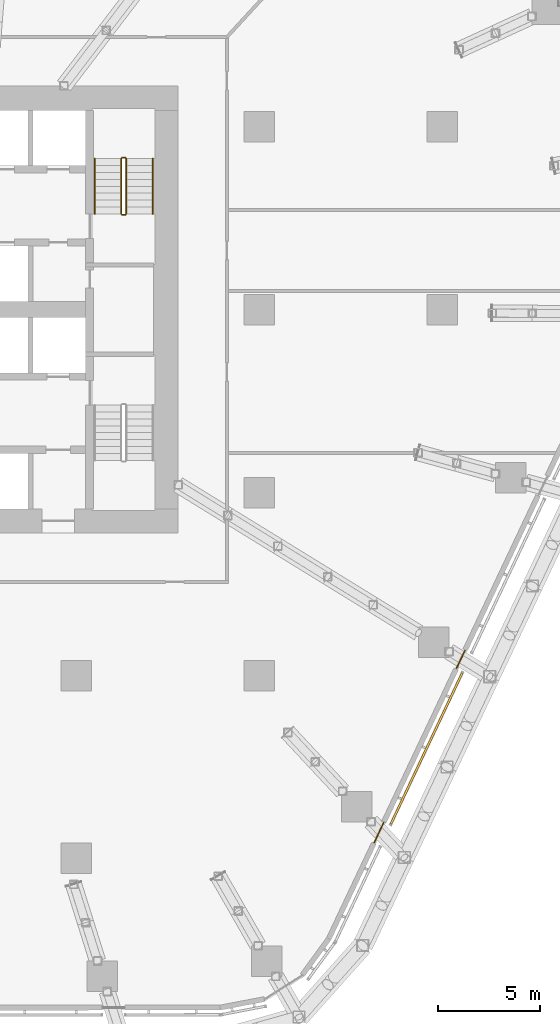
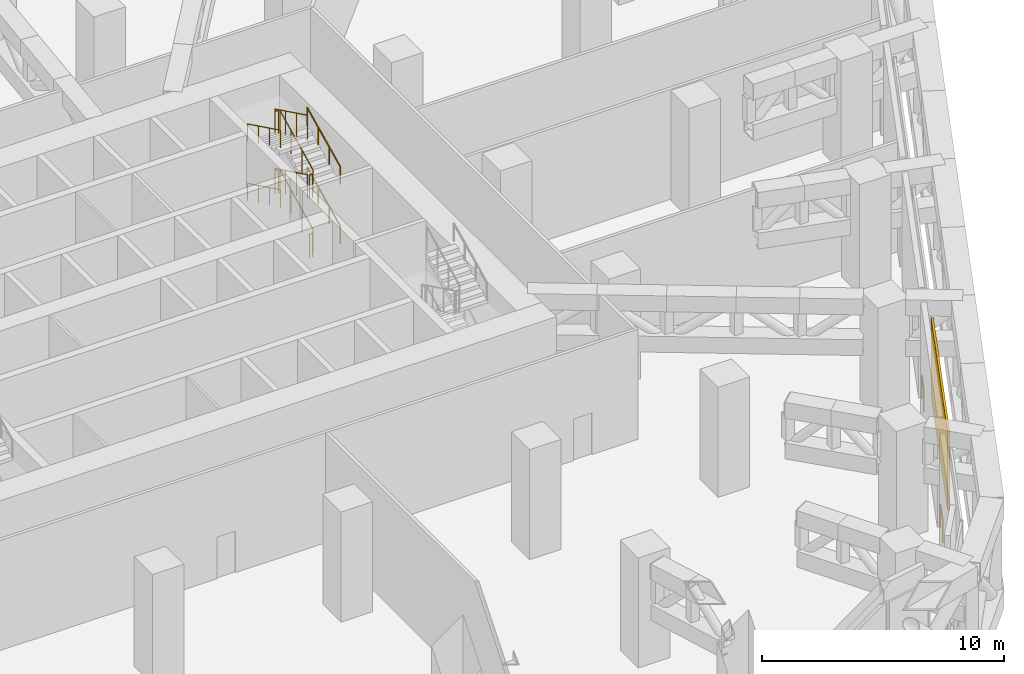
# One storey, part 36 of 38: 14 railings, 1 covering, 1 element without a shape of its own.
"""IFC4 building model written with IfcOpenShell, lengths in metres."""

from ifc_helpers import new_model, si_unit, direction, frame, origin, origin_2d, place, context, subcontext, project, spatial, rectangle, circle, extrude, material, layer, layer_set, type_object, element, aggregate, save


model = new_model("IFC4")

# Units and contexts
model_context = context("Model", 3, precision=1e-05, world=origin(), true_north=direction((0.0, 1.0)))
body_context = subcontext(model_context, "Body", "Model", "MODEL_VIEW")
ifc_project = project(units=[si_unit("LENGTHUNIT", "METRE"), si_unit("AREAUNIT", "SQUARE_METRE"), si_unit("VOLUMEUNIT", "CUBIC_METRE"), si_unit("PLANEANGLEUNIT", "RADIAN"), si_unit("MASSUNIT", "GRAM", prefix="KILO")], contexts=[model_context])

# Site, building, storey
site_placement = place(None, origin())
site = spatial("IfcSite", under=ifc_project, at=site_placement, CompositionType="ELEMENT")
building_placement = place(site_placement, origin())
building = spatial("IfcBuilding", under=site, at=building_placement, Name="Dongbaek Canopy Tower", CompositionType="ELEMENT")
storey_placement = place(building_placement, frame((0.0, 0.0, 89.199951171875)))
storey = spatial("IfcBuildingStorey", under=building, at=storey_placement, Name="L18", CompositionType="ELEMENT", Elevation=89.199951171875)

# Curtain wall, covering
ifc_material_1 = material(Name="Aluminium 6063-T6 pale anodised", Category="aluminium")
ifc_layer_1 = layer(ifc_material_1, 0.14990234375)
ifc_layer_set_1 = layer_set([ifc_layer_1], Name="CW-7 louvre curtain wall")
curtain_wall_type = type_object("IfcCurtainWallType", Name="CW-7 louvre curtain wall", PredefinedType="NOTDEFINED", material=ifc_layer_set_1)
curtain_wall_placement = place(storey_placement, origin())
curtain_wall = element("IfcCurtainWall", 1, at=curtain_wall_placement, inside=storey, type_object=curtain_wall_type, Name="CW-7 louvre wall L18 F5", PredefinedType="NOTDEFINED")
ifc_material_2 = material(Name="Aluminium 6063-T6 pale metal louvre blades", Category="aluminium")
ifc_layer_2 = layer(ifc_material_2, 0.10009765625)
ifc_layer_set_2 = layer_set([ifc_layer_2], Name="Louvre LV bank 100 x 4000")
covering_type = type_object("IfcCoveringType", Name="Louvre LV bank 100 x 4000", PredefinedType="CLADDING", material=ifc_layer_set_2)
covering_placement = place(storey_placement, frame((26.221923828125, -21.58984375, 0.775146484375), z_axis=(0.0, 0.0, 1.0), x_axis=(0.427038992534, 0.904233210436, 0.0)))
covering = element("IfcCovering", 2, at=covering_placement, type_object=covering_type, Name="Louvre L18 F5.2.1", PredefinedType="CLADDING", context=body_context, shape_type="SweptSolid", body=[
    extrude(rectangle(XDim=8.22119140625, YDim=0.10009765625, at=origin_2d()), origin(), (0.0, 0.0, 1.0), 4.0),
])
aggregate(curtain_wall, [covering])

# Railings
ifc_material_3 = material(Name="Stainless steel", Category="steel")
railing_type_1 = type_object("IfcRailingType", Name="Plant opening guard 1200", PredefinedType="GUARDRAIL", material=ifc_material_3)
railing_1_placement = place(storey_placement, frame((23.65283203125, -26.2099609375, 0.0)))
element("IfcRailing", 3, at=railing_1_placement, inside=storey, type_object=railing_type_1, Name="Plant opening guard L18 F5 1", PredefinedType="GUARDRAIL", context=body_context, shape_type="SweptSolid", body=[
    extrude(circle(Radius=0.02392578125, at=origin_2d()), frame((0.0, 0.0, 1.17578125), z_axis=(0.42719298846, 0.90416046729, 0.0), x_axis=(-0.90416046729, 0.42719298846, 0.0)), (0.0, 0.0, 1.0), 1.0693359375),
    extrude(circle(Radius=0.02099609375, at=origin_2d()), origin(), (0.0, 0.0, 1.0), 1.15185546875),
    extrude(circle(Radius=0.02099609375, at=origin_2d()), frame((0.456787109375, 0.966796875, 0.0)), (0.0, 0.0, 1.0), 1.15185546875),
])
railing_2_placement = place(storey_placement, frame((27.701416015625, -17.637451171875, 0.0)))
element("IfcRailing", 4, at=railing_2_placement, inside=storey, type_object=railing_type_1, Name="Plant opening guard L18 F5 2", PredefinedType="GUARDRAIL", context=body_context, shape_type="SweptSolid", body=[
    extrude(circle(Radius=0.02392578125, at=origin_2d()), frame((0.0, 0.0, 1.17578125), z_axis=(0.427099973059, 0.904204408866, 0.0), x_axis=(-0.904204408866, 0.427099973059, 0.0)), (0.0, 0.0, 1.0), 0.947265625),
    extrude(circle(Radius=0.02099609375, at=origin_2d()), origin(), (0.0, 0.0, 1.0), 1.15185546875),
    extrude(circle(Radius=0.02099609375, at=origin_2d()), frame((0.404541015625, 0.8564453125, 0.0)), (0.0, 0.0, 1.0), 1.15185546875),
])
ifc_material_4 = material(Name="Stainless steel tube and balusters", Category="steel")
railing_type_2 = type_object("IfcRailingType", Name="Stair guard 1200", PredefinedType="GUARDRAIL", material=ifc_material_4)
railing_3_placement = place(storey_placement, frame((11.449951171875, 4.699951171875, 0.166748046875)))
element("IfcRailing", 5, at=railing_3_placement, inside=storey, type_object=railing_type_2, Name="L18 ST-A stair guard 1", PredefinedType="GUARDRAIL", context=body_context, shape_type="SweptSolid", body=[
    extrude(circle(Radius=0.02392578125, at=origin_2d()), frame((0.0, 0.0, 1.17578125), z_axis=(0.0, 0.897929466783, 0.4401393787), x_axis=(-1.0, 0.0, 0.0)), (0.0, 0.0, 1.0), 3.029052734375),
    extrude(circle(Radius=0.02099609375, at=origin_2d()), origin(), (0.0, 0.0, 1.0), 1.15185546875),
    extrude(circle(Radius=0.02099609375, at=origin_2d()), frame((0.0, 0.90673828125, 0.4443359375)), (0.0, 0.0, 1.0), 1.15185546875),
    extrude(circle(Radius=0.02099609375, at=origin_2d()), frame((0.0, 1.813232421875, 0.888916015625)), (0.0, 0.0, 1.0), 1.15185546875),
    extrude(circle(Radius=0.02099609375, at=origin_2d()), frame((0.0, 2.719970703125, 1.333251953125)), (0.0, 0.0, 1.0), 1.15185546875),
])
railing_4_placement = place(storey_placement, frame((11.39990234375, 7.469970703125, 1.5)))
element("IfcRailing", 6, at=railing_4_placement, inside=storey, type_object=railing_type_2, Name="L18 ST-A stair guard 2", PredefinedType="GUARDRAIL", context=body_context, shape_type="SweptSolid", body=[
    extrude(circle(Radius=0.02392578125, at=origin_2d()), frame((0.0, 0.0, 1.17578125), z_axis=(-1.0, 0.0, 0.0), x_axis=(0.0, -1.0, 0.0)), (0.0, 0.0, 1.0), 0.14990234375),
    extrude(circle(Radius=0.02099609375, at=origin_2d()), origin(), (0.0, 0.0, 1.0), 1.15185546875),
    extrude(circle(Radius=0.02099609375, at=origin_2d()), frame((-0.14990234375, 0.0, 0.0)), (0.0, 0.0, 1.0), 1.15185546875),
])
railing_5_placement = place(storey_placement, frame((11.199951171875, 7.419921875, 1.666748046875)))
element("IfcRailing", 7, at=railing_5_placement, inside=storey, type_object=railing_type_2, Name="L18 ST-A stair guard 3", PredefinedType="GUARDRAIL", context=body_context, shape_type="SweptSolid", body=[
    extrude(circle(Radius=0.02392578125, at=origin_2d()), frame((0.0, 0.0, 1.17578125), z_axis=(0.0, -0.897929466783, 0.4401393787), x_axis=(1.0, 0.0, 0.0)), (0.0, 0.0, 1.0), 3.029052734375),
    extrude(circle(Radius=0.02099609375, at=origin_2d()), origin(), (0.0, 0.0, 1.0), 1.15185546875),
    extrude(circle(Radius=0.02099609375, at=origin_2d()), frame((0.0, -0.90673828125, 0.4443359375)), (0.0, 0.0, 1.0), 1.15185546875),
    extrude(circle(Radius=0.02099609375, at=origin_2d()), frame((0.0, -1.813232421875, 0.888916015625)), (0.0, 0.0, 1.0), 1.15185546875),
    extrude(circle(Radius=0.02099609375, at=origin_2d()), frame((0.0, -2.719970703125, 1.333251953125)), (0.0, 0.0, 1.0), 1.15185546875),
])
railing_6_placement = place(storey_placement, frame((11.39990234375, 4.64990234375, 3.0)))
element("IfcRailing", 8, at=railing_6_placement, inside=storey, type_object=railing_type_2, Name="L18 ST-A stair guard 4", PredefinedType="GUARDRAIL", context=body_context, shape_type="SweptSolid", body=[
    extrude(circle(Radius=0.02392578125, at=origin_2d()), frame((0.0, 0.0, 1.17578125), z_axis=(-1.0, 0.0, 0.0), x_axis=(0.0, -1.0, 0.0)), (0.0, 0.0, 1.0), 0.14990234375),
    extrude(circle(Radius=0.02099609375, at=origin_2d()), origin(), (0.0, 0.0, 1.0), 1.15185546875),
    extrude(circle(Radius=0.02099609375, at=origin_2d()), frame((-0.14990234375, 0.0, 0.0)), (0.0, 0.0, 1.0), 1.15185546875),
])
railing_7_placement = place(storey_placement, frame((11.449951171875, 4.699951171875, 3.166748046875)))
element("IfcRailing", 9, at=railing_7_placement, inside=storey, type_object=railing_type_2, Name="L18 ST-A stair guard 5", PredefinedType="GUARDRAIL", context=body_context, shape_type="SweptSolid", body=[
    extrude(circle(Radius=0.02392578125, at=origin_2d()), frame((0.0, 0.0, 1.17578125), z_axis=(0.0, 0.897929466783, 0.4401393787), x_axis=(-1.0, 0.0, 0.0)), (0.0, 0.0, 1.0), 3.029052734375),
    extrude(circle(Radius=0.02099609375, at=origin_2d()), origin(), (0.0, 0.0, 1.0), 1.15185546875),
    extrude(circle(Radius=0.02099609375, at=origin_2d()), frame((0.0, 0.90673828125, 0.4443359375)), (0.0, 0.0, 1.0), 1.15185546875),
    extrude(circle(Radius=0.02099609375, at=origin_2d()), frame((0.0, 1.813232421875, 0.888916015625)), (0.0, 0.0, 1.0), 1.15185546875),
    extrude(circle(Radius=0.02099609375, at=origin_2d()), frame((0.0, 2.719970703125, 1.333251953125)), (0.0, 0.0, 1.0), 1.15185546875),
])
railing_8_placement = place(storey_placement, frame((11.39990234375, 7.469970703125, 4.5)))
element("IfcRailing", 10, at=railing_8_placement, inside=storey, type_object=railing_type_2, Name="L18 ST-A stair guard 6", PredefinedType="GUARDRAIL", context=body_context, shape_type="SweptSolid", body=[
    extrude(circle(Radius=0.02392578125, at=origin_2d()), frame((0.0, 0.0, 1.17578125), z_axis=(-1.0, 0.0, 0.0), x_axis=(0.0, -1.0, 0.0)), (0.0, 0.0, 1.0), 0.14990234375),
    extrude(circle(Radius=0.02099609375, at=origin_2d()), origin(), (0.0, 0.0, 1.0), 1.15185546875),
    extrude(circle(Radius=0.02099609375, at=origin_2d()), frame((-0.14990234375, 0.0, 0.0)), (0.0, 0.0, 1.0), 1.15185546875),
])
railing_9_placement = place(storey_placement, frame((11.199951171875, 7.419921875, 4.666748046875)))
element("IfcRailing", 11, at=railing_9_placement, inside=storey, type_object=railing_type_2, Name="L18 ST-A stair guard 7", PredefinedType="GUARDRAIL", context=body_context, shape_type="SweptSolid", body=[
    extrude(circle(Radius=0.02392578125, at=origin_2d()), frame((0.0, 0.0, 1.17578125), z_axis=(0.0, -0.897929466783, 0.4401393787), x_axis=(1.0, 0.0, 0.0)), (0.0, 0.0, 1.0), 3.029052734375),
    extrude(circle(Radius=0.02099609375, at=origin_2d()), origin(), (0.0, 0.0, 1.0), 1.15185546875),
    extrude(circle(Radius=0.02099609375, at=origin_2d()), frame((0.0, -0.90673828125, 0.4443359375)), (0.0, 0.0, 1.0), 1.15185546875),
    extrude(circle(Radius=0.02099609375, at=origin_2d()), frame((0.0, -1.813232421875, 0.888916015625)), (0.0, 0.0, 1.0), 1.15185546875),
    extrude(circle(Radius=0.02099609375, at=origin_2d()), frame((0.0, -2.719970703125, 1.333251953125)), (0.0, 0.0, 1.0), 1.15185546875),
])
railing_10_placement = place(storey_placement, frame((11.39990234375, 4.64990234375, 0.0)))
element("IfcRailing", 12, at=railing_10_placement, inside=storey, type_object=railing_type_2, Name="L18 ST-A stair guard 8", PredefinedType="GUARDRAIL", context=body_context, shape_type="SweptSolid", body=[
    extrude(circle(Radius=0.02392578125, at=origin_2d()), frame((0.0, 0.0, 1.17578125), z_axis=(-1.0, 0.0, 0.0), x_axis=(0.0, -1.0, 0.0)), (0.0, 0.0, 1.0), 0.14990234375),
    extrude(circle(Radius=0.02099609375, at=origin_2d()), origin(), (0.0, 0.0, 1.0), 1.15185546875),
    extrude(circle(Radius=0.02099609375, at=origin_2d()), frame((-0.14990234375, 0.0, 0.0)), (0.0, 0.0, 1.0), 1.15185546875),
])
ifc_material_5 = material(Name="Stainless steel tube", Category="steel")
railing_type_3 = type_object("IfcRailingType", Name="Stair handrail 900", PredefinedType="HANDRAIL", material=ifc_material_5)
railing_11_placement = place(storey_placement, frame((12.75, 4.699951171875, 0.166748046875)))
element("IfcRailing", 13, at=railing_11_placement, inside=storey, type_object=railing_type_3, Name="L18 ST-A stair handrail 1", PredefinedType="HANDRAIL", context=body_context, shape_type="SweptSolid", body=[
    extrude(circle(Radius=0.02392578125, at=origin_2d()), frame((0.0, 0.0, 0.8759765625), z_axis=(0.0, 0.897929466783, 0.4401393787), x_axis=(-1.0, 0.0, 0.0)), (0.0, 0.0, 1.0), 3.029052734375),
    extrude(circle(Radius=0.02099609375, at=origin_2d()), origin(), (0.0, 0.0, 1.0), 0.851806640625),
    extrude(circle(Radius=0.02099609375, at=origin_2d()), frame((0.0, 0.90673828125, 0.4443359375)), (0.0, 0.0, 1.0), 0.851806640625),
    extrude(circle(Radius=0.02099609375, at=origin_2d()), frame((0.0, 1.813232421875, 0.888916015625)), (0.0, 0.0, 1.0), 0.851806640625),
    extrude(circle(Radius=0.02099609375, at=origin_2d()), frame((0.0, 2.719970703125, 1.333251953125)), (0.0, 0.0, 1.0), 0.851806640625),
])
railing_12_placement = place(storey_placement, frame((9.89990234375, 7.419921875, 1.666748046875)))
element("IfcRailing", 14, at=railing_12_placement, inside=storey, type_object=railing_type_3, Name="L18 ST-A stair handrail 2", PredefinedType="HANDRAIL", context=body_context, shape_type="SweptSolid", body=[
    extrude(circle(Radius=0.02392578125, at=origin_2d()), frame((0.0, 0.0, 0.8759765625), z_axis=(0.0, -0.897929466783, 0.4401393787), x_axis=(1.0, 0.0, 0.0)), (0.0, 0.0, 1.0), 3.029052734375),
    extrude(circle(Radius=0.02099609375, at=origin_2d()), origin(), (0.0, 0.0, 1.0), 0.851806640625),
    extrude(circle(Radius=0.02099609375, at=origin_2d()), frame((0.0, -0.90673828125, 0.4443359375)), (0.0, 0.0, 1.0), 0.851806640625),
    extrude(circle(Radius=0.02099609375, at=origin_2d()), frame((0.0, -1.813232421875, 0.888916015625)), (0.0, 0.0, 1.0), 0.851806640625),
    extrude(circle(Radius=0.02099609375, at=origin_2d()), frame((0.0, -2.719970703125, 1.333251953125)), (0.0, 0.0, 1.0), 0.851806640625),
])
railing_13_placement = place(storey_placement, frame((12.75, 4.699951171875, 3.166748046875)))
element("IfcRailing", 15, at=railing_13_placement, inside=storey, type_object=railing_type_3, Name="L18 ST-A stair handrail 3", PredefinedType="HANDRAIL", context=body_context, shape_type="SweptSolid", body=[
    extrude(circle(Radius=0.02392578125, at=origin_2d()), frame((0.0, 0.0, 0.8759765625), z_axis=(0.0, 0.897929466783, 0.4401393787), x_axis=(-1.0, 0.0, 0.0)), (0.0, 0.0, 1.0), 3.029052734375),
    extrude(circle(Radius=0.02099609375, at=origin_2d()), origin(), (0.0, 0.0, 1.0), 0.851806640625),
    extrude(circle(Radius=0.02099609375, at=origin_2d()), frame((0.0, 0.90673828125, 0.4443359375)), (0.0, 0.0, 1.0), 0.851806640625),
    extrude(circle(Radius=0.02099609375, at=origin_2d()), frame((0.0, 1.813232421875, 0.888916015625)), (0.0, 0.0, 1.0), 0.851806640625),
    extrude(circle(Radius=0.02099609375, at=origin_2d()), frame((0.0, 2.719970703125, 1.333251953125)), (0.0, 0.0, 1.0), 0.851806640625),
])
railing_14_placement = place(storey_placement, frame((9.89990234375, 7.419921875, 4.666748046875)))
element("IfcRailing", 16, at=railing_14_placement, inside=storey, type_object=railing_type_3, Name="L18 ST-A stair handrail 4", PredefinedType="HANDRAIL", context=body_context, shape_type="SweptSolid", body=[
    extrude(circle(Radius=0.02392578125, at=origin_2d()), frame((0.0, 0.0, 0.8759765625), z_axis=(0.0, -0.897929466783, 0.4401393787), x_axis=(1.0, 0.0, 0.0)), (0.0, 0.0, 1.0), 3.029052734375),
    extrude(circle(Radius=0.02099609375, at=origin_2d()), origin(), (0.0, 0.0, 1.0), 0.851806640625),
    extrude(circle(Radius=0.02099609375, at=origin_2d()), frame((0.0, -0.90673828125, 0.4443359375)), (0.0, 0.0, 1.0), 0.851806640625),
    extrude(circle(Radius=0.02099609375, at=origin_2d()), frame((0.0, -1.813232421875, 0.888916015625)), (0.0, 0.0, 1.0), 0.851806640625),
    extrude(circle(Radius=0.02099609375, at=origin_2d()), frame((0.0, -2.719970703125, 1.333251953125)), (0.0, 0.0, 1.0), 0.851806640625),
])

save(model, "model.ifc")
